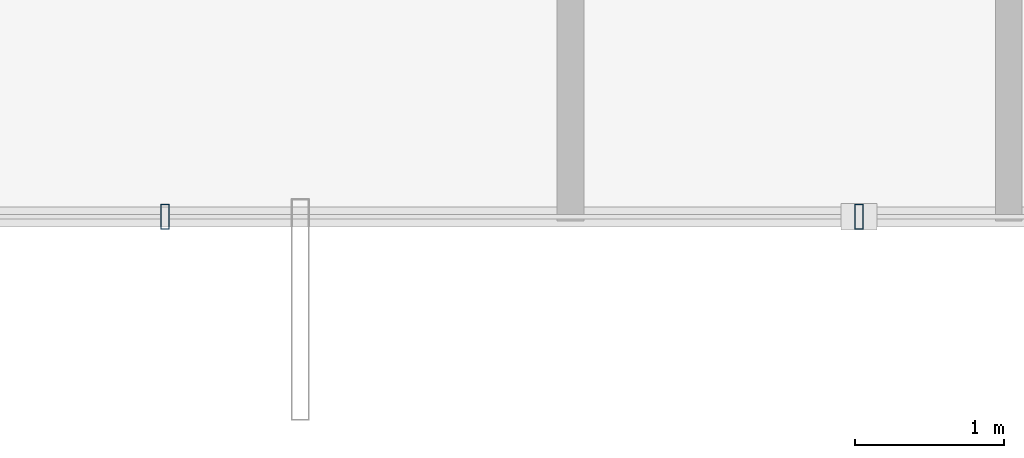
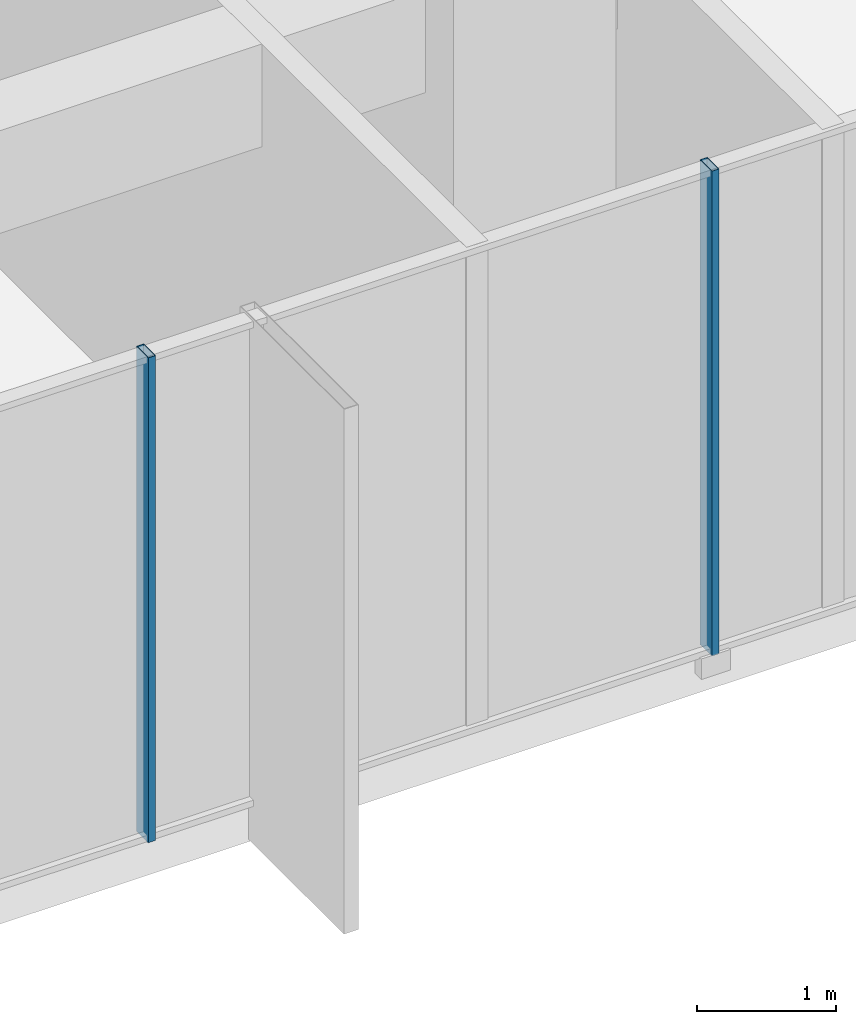
# One storey, part 6 of 39: 2 members, 1 element without a shape of its own.
"""IFC4 building model written with IfcOpenShell, lengths in metres."""

from ifc_helpers import new_model, si_unit, direction, frame, origin, origin_2d, place, context, subcontext, project, spatial, hollow_rectangle, extrude, source, transform, mapped, material, layer, layer_set, material_profile, profile_set, type_object, element, aggregate, save


model = new_model("IFC4")

# Units and contexts
model_context = context("Model", 3, precision=1e-05, world=origin(), true_north=direction((0.0, 1.0)))
body_context = subcontext(model_context, "Body", "Model", "MODEL_VIEW")
ifc_project = project(units=[si_unit("LENGTHUNIT", "METRE"), si_unit("AREAUNIT", "SQUARE_METRE"), si_unit("VOLUMEUNIT", "CUBIC_METRE"), si_unit("PLANEANGLEUNIT", "RADIAN"), si_unit("MASSUNIT", "GRAM", prefix="KILO")], contexts=[model_context])

# Site, building, storey
site_placement = place(None, origin())
site = spatial("IfcSite", under=ifc_project, at=site_placement, CompositionType="ELEMENT")
building_placement = place(site_placement, origin())
building = spatial("IfcBuilding", under=site, at=building_placement, Name="Veraguas Prism Commons", CompositionType="ELEMENT")
storey_placement = place(building_placement, frame((0.0, 0.0, 22.800048828125)))
storey = spatial("IfcBuildingStorey", under=building, at=storey_placement, Name="L05", CompositionType="ELEMENT", Elevation=22.800048828125)

# Curtain wall, members
ifc_material = material(Name="Anodised aluminium EN AW-6063 T6", Category="aluminium")
ifc_layer = layer(ifc_material, 0.169921875, Name="Unitised Flush Curtain Wall Zone 1", Category="aluminium")
ifc_layer_set = layer_set([ifc_layer], Name="Anodised aluminium EN AW-6063 T6")
curtain_wall_type = type_object("IfcCurtainWallType", Name="Unitised Flush Curtain Wall Zone 1", PredefinedType="NOTDEFINED", material=ifc_layer_set)
curtain_wall_placement = place(storey_placement, origin())
curtain_wall = element("IfcCurtainWall", 1, at=curtain_wall_placement, inside=storey, type_object=curtain_wall_type, Name="Tower Facade Curtain Wall L05-F5", PredefinedType="NOTDEFINED")
ifc_material_profile = material_profile(ifc_material, hollow_rectangle(XDim=0.06005859375, YDim=0.169921875, WallThickness=0.00390625, at=origin_2d()), Name="AL60X170X4")
ifc_profile_set = profile_set([ifc_material_profile], Name="Anodised aluminium EN AW-6063 T6")
member_type = type_object("IfcMemberType", Name="Curtain Wall Mullion Lower AL 60x170x4", PredefinedType="MULLION", material=ifc_profile_set)
shared_shape = source(origin(), body_context, "Body", "SweptSolid", [
    extrude(hollow_rectangle(XDim=0.06005859375, YDim=0.169921875, WallThickness=0.00390625, at=origin_2d()), origin(), (0.0, 0.0, 1.0), 4.25),
])
member_1_placement = place(storey_placement, frame((19.3291015625, 3.21533203125, 0.0), z_axis=(0.0, 0.0, 1.0), x_axis=(1.0, 0.0, 0.0)))
member_1 = element("IfcMember", 2, at=member_1_placement, type_object=member_type, Name="CW-Z1 Mullion 2", PredefinedType="MULLION", context=body_context, shape_type="MappedRepresentation", body=[
    mapped(shared_shape, transform((0.0, 0.0, 0.0), scale=1.0)),
])
member_2_placement = place(storey_placement, frame((24.0, 3.21533203125, 0.0), z_axis=(0.0, 0.0, 1.0), x_axis=(1.0, 0.0, 0.0)))
member_2 = element("IfcMember", 3, at=member_2_placement, type_object=member_type, Name="CW-Z1 Mullion 3", PredefinedType="MULLION", context=body_context, shape_type="MappedRepresentation", body=[
    mapped(shared_shape, transform((0.0, 0.0, 0.0), scale=1.0)),
])
aggregate(curtain_wall, [member_1, member_2])

save(model, "model.ifc")
